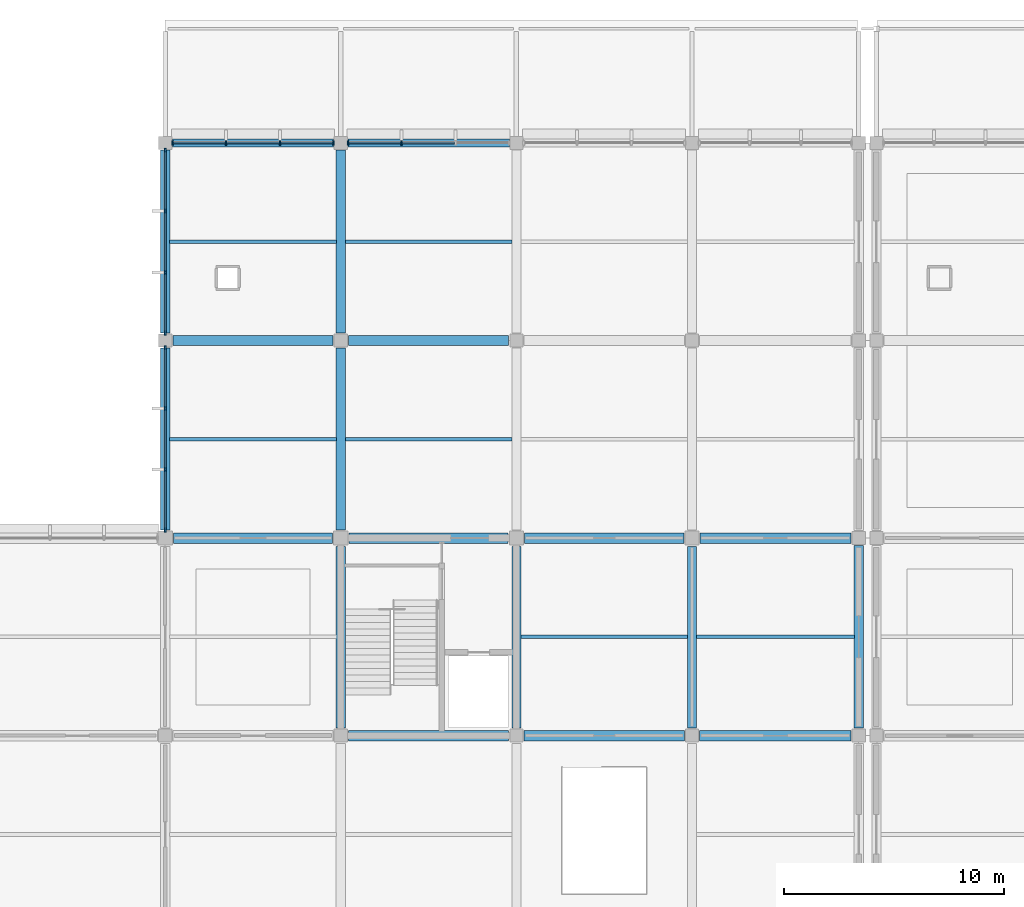
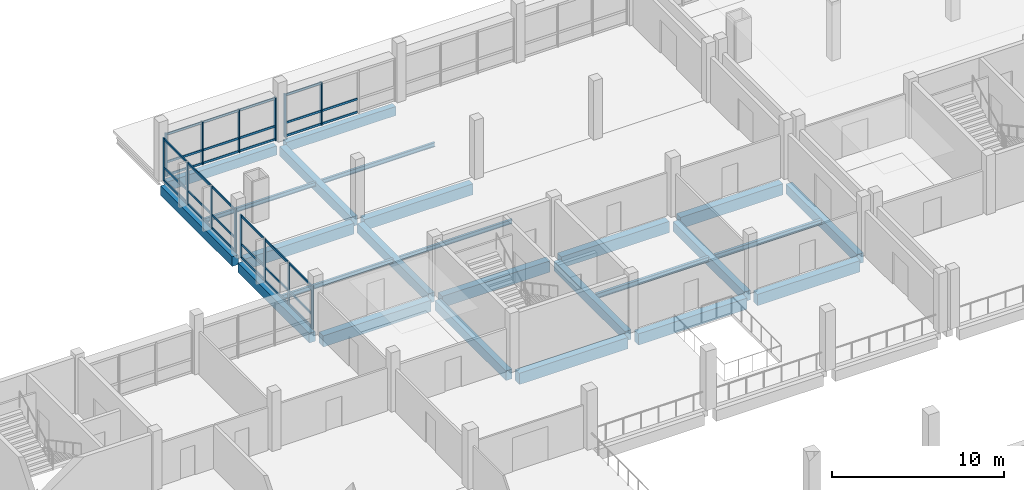
# One storey, part 15 of 57: 46 members, 25 beams, 4 elements without a shape of their own.
"""IFC4 building model written with IfcOpenShell, lengths in metres."""

from ifc_helpers import new_model, si_unit, direction, frame, origin, origin_2d, place, context, subcontext, project, spatial, rectangle, i_section, extrude, material, material_profile, profile_set, type_object, element, aggregate, save


model = new_model("IFC4")

# Units and contexts
model_context = context("Model", 3, precision=1e-05, world=origin(), true_north=direction((0.0, 1.0)))
body_context = subcontext(model_context, "Body", "Model", "MODEL_VIEW")
ifc_project = project(units=[si_unit("LENGTHUNIT", "METRE"), si_unit("AREAUNIT", "SQUARE_METRE"), si_unit("VOLUMEUNIT", "CUBIC_METRE"), si_unit("PLANEANGLEUNIT", "RADIAN"), si_unit("MASSUNIT", "GRAM", prefix="KILO"), si_unit("THERMODYNAMICTEMPERATUREUNIT", "KELVIN"), si_unit("POWERUNIT", "WATT")], contexts=[model_context])

# Site, building, storey
site_placement = place(None, origin())
site = spatial("IfcSite", under=ifc_project, at=site_placement, CompositionType="ELEMENT")
building_placement = place(site_placement, origin())
building = spatial("IfcBuilding", under=site, at=building_placement, Name="Kronsvod Quay Wholesale Market", CompositionType="ELEMENT")
storey_placement = place(building_placement, frame((0.0, 0.0, 4.800048828125)))
storey = spatial("IfcBuildingStorey", under=building, at=storey_placement, Name="L01", CompositionType="ELEMENT", Elevation=4.800048828125)

# Beams
ifc_material_1 = material(Name="Precast concrete C40/50", Category="concrete")
ifc_material_profile_1 = material_profile(ifc_material_1, rectangle(XDim=0.419921875, YDim=0.679931640625, at=origin_2d()), Name="PB-05")
ifc_profile_set_1 = profile_set([ifc_material_profile_1], Name="Precast concrete C40/50")
beam_type_1 = type_object("IfcBeamType", Name="Beam_PCB420x680", PredefinedType="BEAM", material=ifc_profile_set_1)
beam_1_placement = place(storey_placement, frame((32.0, 108.375, -0.64013671875), z_axis=(0.0, 1.0, 0.0), x_axis=(-1.0, 0.0, 0.0)))
element("IfcBeam", 1, at=beam_1_placement, inside=storey, type_object=beam_type_1, Name="BMY-L01-320-1080", PredefinedType="BEAM", context=body_context, shape_type="SweptSolid", body=[
    extrude(rectangle(XDim=0.419921875, YDim=0.679931640625, at=origin_2d()), origin(), (0.0, 0.0, 1.0), 8.27490234375),
])
beam_2_placement = place(storey_placement, frame((32.0, 117.35009765625, -0.64013671875), z_axis=(0.0, 1.0, 0.0), x_axis=(-1.0, 0.0, 0.0)))
element("IfcBeam", 2, at=beam_2_placement, inside=storey, type_object=beam_type_1, Name="BMY-L01-320-1170", PredefinedType="BEAM", context=body_context, shape_type="SweptSolid", body=[
    extrude(rectangle(XDim=0.419921875, YDim=0.679931640625, at=origin_2d()), origin(), (0.0, 0.0, 1.0), 8.324951171875),
])
for number, where, z_axis, x_axis, name in (
    (3, (40.0, 99.35009765625, -0.64013671875), (0.0, 1.0, 0.0), (-1.0, 0.0, 0.0), "BMY-L01-400-990"),
    (4, (40.0, 108.375, -0.64013671875), (0.0, 1.0, 0.0), (-1.0, 0.0, 0.0), "BMY-L01-400-1080"),
):
    element("IfcBeam", number, at=place(storey_placement, frame(where, z_axis=z_axis, x_axis=x_axis)), inside=storey, type_object=beam_type_1, Name=name, PredefinedType="BEAM", context=body_context, shape_type="SweptSolid", body=[
        extrude(rectangle(XDim=0.419921875, YDim=0.679931640625, at=origin_2d()), origin(), (0.0, 0.0, 1.0), 8.27490234375),
    ])
beam_3_placement = place(storey_placement, frame((40.0, 117.35009765625, -0.64013671875), z_axis=(0.0, 1.0, 0.0), x_axis=(-1.0, 0.0, 0.0)))
element("IfcBeam", 5, at=beam_3_placement, inside=storey, type_object=beam_type_1, Name="BMY-L01-400-1170", PredefinedType="BEAM", context=body_context, shape_type="SweptSolid", body=[
    extrude(rectangle(XDim=0.419921875, YDim=0.679931640625, at=origin_2d()), origin(), (0.0, 0.0, 1.0), 8.324951171875),
])
for number, where, z_axis, x_axis, name in (
    (6, (48.0, 99.35009765625, -0.64013671875), (0.0, 1.0, 0.0), (-1.0, 0.0, 0.0), "BMY-L01-480-990"),
    (7, (56.0, 99.35009765625, -0.64013671875), (0.0, 1.0, 0.0), (-1.0, 0.0, 0.0), "BMY-L01-560-990"),
):
    element("IfcBeam", number, at=place(storey_placement, frame(where, z_axis=z_axis, x_axis=x_axis)), inside=storey, type_object=beam_type_1, Name=name, PredefinedType="BEAM", context=body_context, shape_type="SweptSolid", body=[
        extrude(rectangle(XDim=0.419921875, YDim=0.679931640625, at=origin_2d()), origin(), (0.0, 0.0, 1.0), 8.27490234375),
    ])
beam_4_placement = place(storey_placement, frame((63.60009765625, 99.35009765625, -0.64013671875), z_axis=(0.0, 1.0, 0.0), x_axis=(-1.0, 0.0, 0.0)))
element("IfcBeam", 8, at=beam_4_placement, inside=storey, type_object=beam_type_1, Name="BMY-L01-636-990", PredefinedType="BEAM", context=body_context, shape_type="SweptSolid", body=[
    extrude(rectangle(XDim=0.419921875, YDim=0.679931640625, at=origin_2d()), origin(), (0.0, 0.0, 1.0), 8.2998046875),
])
ifc_material_2 = material(Name="Precast concrete C40/50", Category="concrete")
ifc_material_profile_2 = material_profile(ifc_material_2, rectangle(XDim=0.4599609375, YDim=0.780029296875, at=origin_2d()), Name="PB-03")
ifc_profile_set_2 = profile_set([ifc_material_profile_2], Name="Precast concrete C40/50")
beam_type_2 = type_object("IfcBeamType", Name="Beam_PCB460x780", PredefinedType="BEAM", material=ifc_profile_set_2)
for number, where, z_axis, x_axis, name in (
    (9, (32.35009765625, 117.0, -0.68994140625), (1.0, 0.0, 0.0), (0.0, 1.0, 0.0), "BMX-L01-320-1170"),
    (10, (40.35009765625, 117.0, -0.68994140625), (1.0, 0.0, 0.0), (0.0, 1.0, 0.0), "BMX-L01-400-1170"),
):
    element("IfcBeam", number, at=place(storey_placement, frame(where, z_axis=z_axis, x_axis=x_axis)), inside=storey, type_object=beam_type_2, Name=name, PredefinedType="BEAM", context=body_context, shape_type="SweptSolid", body=[
        extrude(rectangle(XDim=0.4599609375, YDim=0.780029296875, at=origin_2d()), origin(), (0.0, 0.0, 1.0), 7.2998046875),
    ])
ifc_material_3 = material(Name="Precast concrete C40/50", Category="concrete")
ifc_material_profile_3 = material_profile(ifc_material_3, rectangle(XDim=0.47998046875, YDim=0.800048828125, at=origin_2d()), Name="PB-04")
ifc_profile_set_3 = profile_set([ifc_material_profile_3], Name="Precast concrete C40/50")
beam_type_3 = type_object("IfcBeamType", Name="Beam_PCB480x800", PredefinedType="BEAM", material=ifc_profile_set_3)
for number, where, z_axis, x_axis, name in (
    (11, (40.35009765625, 99.0, -0.699951171875), (1.0, 0.0, 0.0), (0.0, 1.0, 0.0), "BMX-L01-400-990"),
    (12, (48.35009765625, 99.0, -0.699951171875), (1.0, 0.0, 0.0), (0.0, 1.0, 0.0), "BMX-L01-480-990"),
):
    element("IfcBeam", number, at=place(storey_placement, frame(where, z_axis=z_axis, x_axis=x_axis)), inside=storey, type_object=beam_type_3, Name=name, PredefinedType="BEAM", context=body_context, shape_type="SweptSolid", body=[
        extrude(rectangle(XDim=0.47998046875, YDim=0.800048828125, at=origin_2d()), origin(), (0.0, 0.0, 1.0), 7.2998046875),
    ])
beam_5_placement = place(storey_placement, frame((56.35009765625, 99.0, -0.699951171875), z_axis=(1.0, 0.0, 0.0), x_axis=(0.0, 1.0, 0.0)))
element("IfcBeam", 13, at=beam_5_placement, inside=storey, type_object=beam_type_3, Name="BMX-L01-560-990", PredefinedType="BEAM", context=body_context, shape_type="SweptSolid", body=[
    extrude(rectangle(XDim=0.47998046875, YDim=0.800048828125, at=origin_2d()), origin(), (0.0, 0.0, 1.0), 6.89990234375),
])
for number, where, z_axis, x_axis, name in (
    (14, (32.375, 108.0, -0.699951171875), (1.0, 0.0, 0.0), (0.0, 1.0, 0.0), "BMX-L01-320-1080"),
    (15, (40.375, 108.0, -0.699951171875), (1.0, 0.0, 0.0), (0.0, 1.0, 0.0), "BMX-L01-400-1080"),
    (16, (48.375, 108.0, -0.699951171875), (1.0, 0.0, 0.0), (0.0, 1.0, 0.0), "BMX-L01-480-1080"),
):
    element("IfcBeam", number, at=place(storey_placement, frame(where, z_axis=z_axis, x_axis=x_axis)), inside=storey, type_object=beam_type_3, Name=name, PredefinedType="BEAM", context=body_context, shape_type="SweptSolid", body=[
        extrude(rectangle(XDim=0.47998046875, YDim=0.800048828125, at=origin_2d()), origin(), (0.0, 0.0, 1.0), 7.25),
    ])
beam_6_placement = place(storey_placement, frame((56.375, 108.0, -0.699951171875), z_axis=(1.0, 0.0, 0.0), x_axis=(0.0, 1.0, 0.0)))
element("IfcBeam", 17, at=beam_6_placement, inside=storey, type_object=beam_type_3, Name="BMX-L01-560-1080", PredefinedType="BEAM", context=body_context, shape_type="SweptSolid", body=[
    extrude(rectangle(XDim=0.47998046875, YDim=0.800048828125, at=origin_2d()), origin(), (0.0, 0.0, 1.0), 6.875),
])
ifc_material_4 = material(Name="Steel S355", Category="steel")
ifc_material_profile_4 = material_profile(ifc_material_4, i_section(OverallWidth=0.14892578125, OverallDepth=0.298095703125, WebThickness=0.005615234375, FlangeThickness=0.008056640625, FilletRadius=0.012939453125, at=origin_2d()), Name="30B1")
ifc_profile_set_4 = profile_set([ifc_material_profile_4], Name="Steel S355")
beam_type_4 = type_object("IfcBeamType", Name="Joist_Steel30B1", PredefinedType="JOIST", material=ifc_profile_set_4)
for number, where, z_axis, x_axis, name in (
    (18, (32.205078125, 112.5, -0.399169921875), (1.0, 0.0, 0.0), (0.0, 1.0, 0.0), "JSTX-L01-320-1080"),
    (19, (32.205078125, 121.5, -0.399169921875), (1.0, 0.0, 0.0), (0.0, 1.0, 0.0), "JSTX-L01-320-1170"),
    (20, (40.205078125, 112.5, -0.399169921875), (1.0, 0.0, 0.0), (0.0, 1.0, 0.0), "JSTX-L01-400-1080"),
    (21, (40.205078125, 121.5, -0.399169921875), (1.0, 0.0, 0.0), (0.0, 1.0, 0.0), "JSTX-L01-400-1170"),
):
    element("IfcBeam", number, at=place(storey_placement, frame(where, z_axis=z_axis, x_axis=x_axis)), inside=storey, type_object=beam_type_4, Name=name, PredefinedType="JOIST", context=body_context, shape_type="SweptSolid", body=[
        extrude(i_section(OverallWidth=0.14892578125, OverallDepth=0.298095703125, WebThickness=0.005615234375, FlangeThickness=0.008056640625, FilletRadius=0.012939453125, at=origin_2d()), origin(), (0.0, 0.0, 1.0), 7.58984375),
    ])
ifc_material_5 = material(Name="Steel S355", Category="steel")
ifc_material_profile_5 = material_profile(ifc_material_5, i_section(OverallWidth=0.175048828125, OverallDepth=0.35009765625, WebThickness=0.007080078125, FlangeThickness=0.010986328125, FilletRadius=0.013916015625, at=origin_2d()), Name="35B2")
ifc_profile_set_5 = profile_set([ifc_material_profile_5], Name="Steel S355")
beam_type_5 = type_object("IfcBeamType", Name="Joist_Steel35B2", PredefinedType="JOIST", material=ifc_profile_set_5)
beam_7_placement = place(storey_placement, frame((48.205078125, 103.5, -0.425048828125), z_axis=(1.0, 0.0, 0.0), x_axis=(0.0, 1.0, 0.0)))
element("IfcBeam", 22, at=beam_7_placement, inside=storey, type_object=beam_type_5, Name="JSTX-L01-480-990", PredefinedType="JOIST", context=body_context, shape_type="SweptSolid", body=[
    extrude(i_section(OverallWidth=0.175048828125, OverallDepth=0.35009765625, WebThickness=0.007080078125, FlangeThickness=0.010986328125, FilletRadius=0.013916015625, at=origin_2d()), origin(), (0.0, 0.0, 1.0), 7.58984375),
])
beam_8_placement = place(storey_placement, frame((56.205078125, 103.5, -0.425048828125), z_axis=(1.0, 0.0, 0.0), x_axis=(0.0, 1.0, 0.0)))
element("IfcBeam", 23, at=beam_8_placement, inside=storey, type_object=beam_type_5, Name="JSTX-L01-560-990", PredefinedType="JOIST", context=body_context, shape_type="SweptSolid", body=[
    extrude(i_section(OverallWidth=0.175048828125, OverallDepth=0.35009765625, WebThickness=0.007080078125, FlangeThickness=0.010986328125, FilletRadius=0.013916015625, at=origin_2d()), origin(), (0.0, 0.0, 1.0), 7.18994140625),
])

# Curtain wall, members
ifc_material_6 = material(Name="Thermally broken aluminium and triple low-E glazing", Category="aluminium")
curtain_wall_type_1 = type_object("IfcCurtainWallType", Name="CW_Harbour80x33", PredefinedType="NOTDEFINED", material=ifc_material_6)
curtain_wall_1_placement = place(storey_placement, origin())
curtain_wall_1 = element("IfcCurtainWall", 24, at=curtain_wall_1_placement, inside=storey, type_object=curtain_wall_type_1, Name="CWGX-L01-320-1260", PredefinedType="NOTDEFINED")
ifc_material_7 = material(Name="Anodised aluminium", Category="aluminium")
ifc_material_profile_6 = material_profile(ifc_material_7, rectangle(XDim=0.074951171875, YDim=0.199951171875, at=origin_2d()), Name="ALUM75x200")
ifc_profile_set_6 = profile_set([ifc_material_profile_6], Name="Anodised aluminium")
member_type_1 = type_object("IfcMemberType", Name="Mullion_ALU75x200", PredefinedType="MULLION", material=ifc_profile_set_6)
member_1_placement = place(storey_placement, frame((39.66748046875, 126.0, 0.0), z_axis=(0.0, 0.0, 1.0), x_axis=(1.0, 0.0, 0.0)))
member_1 = element("IfcMember", 25, at=member_1_placement, type_object=member_type_1, Name="CWGX-L01-320-1260-M1", PredefinedType="MULLION", context=body_context, shape_type="SweptSolid", body=[
    extrude(rectangle(XDim=0.074951171875, YDim=0.199951171875, at=origin_2d()), origin(), (0.0, 0.0, 1.0), 3.050048828125),
])
member_2_placement = place(storey_placement, frame((37.235107421875, 126.0, 0.0), z_axis=(0.0, 0.0, 1.0), x_axis=(1.0, 0.0, 0.0)))
member_2 = element("IfcMember", 26, at=member_2_placement, type_object=member_type_1, Name="CWGX-L01-320-1260-M2", PredefinedType="MULLION", context=body_context, shape_type="SweptSolid", body=[
    extrude(rectangle(XDim=0.074951171875, YDim=0.199951171875, at=origin_2d()), origin(), (0.0, 0.0, 1.0), 3.050048828125),
])
member_3_placement = place(storey_placement, frame((34.764892578125, 126.0, 0.0), z_axis=(0.0, 0.0, 1.0), x_axis=(1.0, 0.0, 0.0)))
member_3 = element("IfcMember", 27, at=member_3_placement, type_object=member_type_1, Name="CWGX-L01-320-1260-M3", PredefinedType="MULLION", context=body_context, shape_type="SweptSolid", body=[
    extrude(rectangle(XDim=0.074951171875, YDim=0.199951171875, at=origin_2d()), origin(), (0.0, 0.0, 1.0), 3.050048828125),
])
member_4_placement = place(storey_placement, frame((32.33251953125, 126.0, 0.0), z_axis=(0.0, 0.0, 1.0), x_axis=(1.0, 0.0, 0.0)))
member_4 = element("IfcMember", 28, at=member_4_placement, type_object=member_type_1, Name="CWGX-L01-320-1260-M4", PredefinedType="MULLION", context=body_context, shape_type="SweptSolid", body=[
    extrude(rectangle(XDim=0.074951171875, YDim=0.199951171875, at=origin_2d()), origin(), (0.0, 0.0, 1.0), 3.050048828125),
])

curtain_wall_2_placement = place(storey_placement, origin())
curtain_wall_2 = element("IfcCurtainWall", 29, at=curtain_wall_2_placement, inside=storey, type_object=curtain_wall_type_1, Name="CWGX-L01-400-1260", PredefinedType="NOTDEFINED")
member_5_placement = place(storey_placement, frame((42.764892578125, 126.0, 0.0), z_axis=(0.0, 0.0, 1.0), x_axis=(1.0, 0.0, 0.0)))
member_5 = element("IfcMember", 30, at=member_5_placement, type_object=member_type_1, Name="CWGX-L01-400-1260-M3", PredefinedType="MULLION", context=body_context, shape_type="SweptSolid", body=[
    extrude(rectangle(XDim=0.074951171875, YDim=0.199951171875, at=origin_2d()), origin(), (0.0, 0.0, 1.0), 3.050048828125),
])
member_6_placement = place(storey_placement, frame((40.33251953125, 126.0, 0.0), z_axis=(0.0, 0.0, 1.0), x_axis=(1.0, 0.0, 0.0)))
member_6 = element("IfcMember", 31, at=member_6_placement, type_object=member_type_1, Name="CWGX-L01-400-1260-M4", PredefinedType="MULLION", context=body_context, shape_type="SweptSolid", body=[
    extrude(rectangle(XDim=0.074951171875, YDim=0.199951171875, at=origin_2d()), origin(), (0.0, 0.0, 1.0), 3.050048828125),
])

ifc_material_8 = material(Name="Thermally broken aluminium and triple low-E glazing", Category="aluminium")
curtain_wall_type_2 = type_object("IfcCurtainWallType", Name="CW_Wing90x33", PredefinedType="NOTDEFINED", material=ifc_material_8)
curtain_wall_3_placement = place(storey_placement, origin())
curtain_wall_3 = element("IfcCurtainWall", 32, at=curtain_wall_3_placement, inside=storey, type_object=curtain_wall_type_2, Name="CWGY-L01-320-1080", PredefinedType="NOTDEFINED")
member_7_placement = place(storey_placement, frame((32.0, 116.66748046875, 0.0), z_axis=(0.0, 0.0, 1.0), x_axis=(1.0, 0.0, 0.0)))
member_7 = element("IfcMember", 33, at=member_7_placement, type_object=member_type_1, Name="CWGY-L01-320-1080-M1", PredefinedType="MULLION", context=body_context, shape_type="SweptSolid", body=[
    extrude(rectangle(XDim=0.074951171875, YDim=0.199951171875, at=origin_2d()), origin(), (0.0, 0.0, 1.0), 3.050048828125),
])
member_8_placement = place(storey_placement, frame((32.0, 113.909912109375, 0.0), z_axis=(0.0, 0.0, 1.0), x_axis=(1.0, 0.0, 0.0)))
member_8 = element("IfcMember", 34, at=member_8_placement, type_object=member_type_1, Name="CWGY-L01-320-1080-M2", PredefinedType="MULLION", context=body_context, shape_type="SweptSolid", body=[
    extrude(rectangle(XDim=0.074951171875, YDim=0.199951171875, at=origin_2d()), origin(), (0.0, 0.0, 1.0), 3.050048828125),
])
member_9_placement = place(storey_placement, frame((32.0, 111.114990234375, 0.0), z_axis=(0.0, 0.0, 1.0), x_axis=(1.0, 0.0, 0.0)))
member_9 = element("IfcMember", 35, at=member_9_placement, type_object=member_type_1, Name="CWGY-L01-320-1080-M3", PredefinedType="MULLION", context=body_context, shape_type="SweptSolid", body=[
    extrude(rectangle(XDim=0.074951171875, YDim=0.199951171875, at=origin_2d()), origin(), (0.0, 0.0, 1.0), 3.050048828125),
])
member_10_placement = place(storey_placement, frame((32.0, 108.357421875, 0.0), z_axis=(0.0, 0.0, 1.0), x_axis=(1.0, 0.0, 0.0)))
member_10 = element("IfcMember", 36, at=member_10_placement, type_object=member_type_1, Name="CWGY-L01-320-1080-M4", PredefinedType="MULLION", context=body_context, shape_type="SweptSolid", body=[
    extrude(rectangle(XDim=0.074951171875, YDim=0.199951171875, at=origin_2d()), origin(), (0.0, 0.0, 1.0), 3.050048828125),
])

curtain_wall_4_placement = place(storey_placement, origin())
curtain_wall_4 = element("IfcCurtainWall", 37, at=curtain_wall_4_placement, inside=storey, type_object=curtain_wall_type_2, Name="CWGY-L01-320-1170", PredefinedType="NOTDEFINED")
member_11_placement = place(storey_placement, frame((32.0, 125.66748046875, 0.0), z_axis=(0.0, 0.0, 1.0), x_axis=(1.0, 0.0, 0.0)))
member_11 = element("IfcMember", 38, at=member_11_placement, type_object=member_type_1, Name="CWGY-L01-320-1170-M1", PredefinedType="MULLION", context=body_context, shape_type="SweptSolid", body=[
    extrude(rectangle(XDim=0.074951171875, YDim=0.199951171875, at=origin_2d()), origin(), (0.0, 0.0, 1.0), 3.050048828125),
])
member_12_placement = place(storey_placement, frame((32.0, 122.901611328125, 0.0), z_axis=(0.0, 0.0, 1.0), x_axis=(1.0, 0.0, 0.0)))
member_12 = element("IfcMember", 39, at=member_12_placement, type_object=member_type_1, Name="CWGY-L01-320-1170-M2", PredefinedType="MULLION", context=body_context, shape_type="SweptSolid", body=[
    extrude(rectangle(XDim=0.074951171875, YDim=0.199951171875, at=origin_2d()), origin(), (0.0, 0.0, 1.0), 3.050048828125),
])
member_13_placement = place(storey_placement, frame((32.0, 120.098388671875, 0.0), z_axis=(0.0, 0.0, 1.0), x_axis=(1.0, 0.0, 0.0)))
member_13 = element("IfcMember", 40, at=member_13_placement, type_object=member_type_1, Name="CWGY-L01-320-1170-M3", PredefinedType="MULLION", context=body_context, shape_type="SweptSolid", body=[
    extrude(rectangle(XDim=0.074951171875, YDim=0.199951171875, at=origin_2d()), origin(), (0.0, 0.0, 1.0), 3.050048828125),
])
member_14_placement = place(storey_placement, frame((32.0, 117.33251953125, 0.0), z_axis=(0.0, 0.0, 1.0), x_axis=(1.0, 0.0, 0.0)))
member_14 = element("IfcMember", 41, at=member_14_placement, type_object=member_type_1, Name="CWGY-L01-320-1170-M4", PredefinedType="MULLION", context=body_context, shape_type="SweptSolid", body=[
    extrude(rectangle(XDim=0.074951171875, YDim=0.199951171875, at=origin_2d()), origin(), (0.0, 0.0, 1.0), 3.050048828125),
])

# Beams
ifc_material_9 = material(Name="Precast concrete C40/50", Category="concrete")
ifc_material_profile_7 = material_profile(ifc_material_9, rectangle(XDim=0.3798828125, YDim=0.64990234375, at=origin_2d()), Name="SPB-03")
ifc_profile_set_7 = profile_set([ifc_material_profile_7], Name="Precast concrete C40/50")
beam_type_6 = type_object("IfcBeamType", Name="Spandrel_PCSP380x650", PredefinedType="SPANDREL", material=ifc_profile_set_7)
for number, where, z_axis, x_axis, name in (
    (42, (32.324951171875, 126.0, -0.625), (1.0, 0.0, 0.0), (0.0, 1.0, 0.0), "BMX-L01-320-1260"),
    (43, (40.324951171875, 126.0, -0.625), (1.0, 0.0, 0.0), (0.0, 1.0, 0.0), "BMX-L01-400-1260"),
):
    element("IfcBeam", number, at=place(storey_placement, frame(where, z_axis=z_axis, x_axis=x_axis)), inside=storey, type_object=beam_type_6, Name=name, PredefinedType="SPANDREL", context=body_context, shape_type="SweptSolid", body=[
        extrude(rectangle(XDim=0.3798828125, YDim=0.64990234375, at=origin_2d()), origin(), (0.0, 0.0, 1.0), 7.35009765625),
    ])

# Member
ifc_material_10 = material(Name="Anodised aluminium", Category="aluminium")
ifc_material_profile_8 = material_profile(ifc_material_10, rectangle(XDim=0.074951171875, YDim=0.14990234375, at=origin_2d()), Name="ALUT75x150")
ifc_profile_set_8 = profile_set([ifc_material_profile_8], Name="Anodised aluminium")
member_type_2 = type_object("IfcMemberType", Name="Transom_ALU75x150", PredefinedType="USERDEFINED", material=ifc_profile_set_8)
member_15_placement = place(storey_placement, frame((39.6298828125, 126.0, 0.074951171875), z_axis=(-1.0, 0.0, 0.0), x_axis=(0.0, -1.0, 0.0)))
member_15 = element("IfcMember", 44, at=member_15_placement, type_object=member_type_2, Name="CWGX-L01-320-1260-T1B1", ObjectType="TRANSOM", PredefinedType="USERDEFINED", context=body_context, shape_type="SweptSolid", body=[
    extrude(rectangle(XDim=0.074951171875, YDim=0.14990234375, at=origin_2d()), origin(), (0.0, 0.0, 1.0), 2.357421875),
])

member_16_placement = place(storey_placement, frame((37.197509765625, 126.0, 0.074951171875), z_axis=(-1.0, 0.0, 0.0), x_axis=(0.0, -1.0, 0.0)))
member_16 = element("IfcMember", 45, at=member_16_placement, type_object=member_type_2, Name="CWGX-L01-320-1260-T1B2", ObjectType="TRANSOM", PredefinedType="USERDEFINED", context=body_context, shape_type="SweptSolid", body=[
    extrude(rectangle(XDim=0.074951171875, YDim=0.14990234375, at=origin_2d()), origin(), (0.0, 0.0, 1.0), 2.39501953125),
])

member_17_placement = place(storey_placement, frame((34.7275390625, 126.0, 0.074951171875), z_axis=(-1.0, 0.0, 0.0), x_axis=(0.0, -1.0, 0.0)))
member_17 = element("IfcMember", 46, at=member_17_placement, type_object=member_type_2, Name="CWGX-L01-320-1260-T1B3", ObjectType="TRANSOM", PredefinedType="USERDEFINED", context=body_context, shape_type="SweptSolid", body=[
    extrude(rectangle(XDim=0.074951171875, YDim=0.14990234375, at=origin_2d()), origin(), (0.0, 0.0, 1.0), 2.357421875),
])

member_18_placement = place(storey_placement, frame((39.6298828125, 126.0, 1.0), z_axis=(-1.0, 0.0, 0.0), x_axis=(0.0, -1.0, 0.0)))
member_18 = element("IfcMember", 47, at=member_18_placement, type_object=member_type_2, Name="CWGX-L01-320-1260-T2B1", ObjectType="TRANSOM", PredefinedType="USERDEFINED", context=body_context, shape_type="SweptSolid", body=[
    extrude(rectangle(XDim=0.074951171875, YDim=0.14990234375, at=origin_2d()), origin(), (0.0, 0.0, 1.0), 2.357421875),
])

member_19_placement = place(storey_placement, frame((37.197509765625, 126.0, 1.0), z_axis=(-1.0, 0.0, 0.0), x_axis=(0.0, -1.0, 0.0)))
member_19 = element("IfcMember", 48, at=member_19_placement, type_object=member_type_2, Name="CWGX-L01-320-1260-T2B2", ObjectType="TRANSOM", PredefinedType="USERDEFINED", context=body_context, shape_type="SweptSolid", body=[
    extrude(rectangle(XDim=0.074951171875, YDim=0.14990234375, at=origin_2d()), origin(), (0.0, 0.0, 1.0), 2.39501953125),
])

member_20_placement = place(storey_placement, frame((34.7275390625, 126.0, 1.0), z_axis=(-1.0, 0.0, 0.0), x_axis=(0.0, -1.0, 0.0)))
member_20 = element("IfcMember", 49, at=member_20_placement, type_object=member_type_2, Name="CWGX-L01-320-1260-T2B3", ObjectType="TRANSOM", PredefinedType="USERDEFINED", context=body_context, shape_type="SweptSolid", body=[
    extrude(rectangle(XDim=0.074951171875, YDim=0.14990234375, at=origin_2d()), origin(), (0.0, 0.0, 1.0), 2.357421875),
])

member_21_placement = place(storey_placement, frame((39.6298828125, 126.0, 2.974853515625), z_axis=(-1.0, 0.0, 0.0), x_axis=(0.0, -1.0, 0.0)))
member_21 = element("IfcMember", 50, at=member_21_placement, type_object=member_type_2, Name="CWGX-L01-320-1260-T3B1", ObjectType="TRANSOM", PredefinedType="USERDEFINED", context=body_context, shape_type="SweptSolid", body=[
    extrude(rectangle(XDim=0.074951171875, YDim=0.14990234375, at=origin_2d()), origin(), (0.0, 0.0, 1.0), 2.357421875),
])

member_22_placement = place(storey_placement, frame((37.197509765625, 126.0, 2.974853515625), z_axis=(-1.0, 0.0, 0.0), x_axis=(0.0, -1.0, 0.0)))
member_22 = element("IfcMember", 51, at=member_22_placement, type_object=member_type_2, Name="CWGX-L01-320-1260-T3B2", ObjectType="TRANSOM", PredefinedType="USERDEFINED", context=body_context, shape_type="SweptSolid", body=[
    extrude(rectangle(XDim=0.074951171875, YDim=0.14990234375, at=origin_2d()), origin(), (0.0, 0.0, 1.0), 2.39501953125),
])

member_23_placement = place(storey_placement, frame((34.7275390625, 126.0, 2.974853515625), z_axis=(-1.0, 0.0, 0.0), x_axis=(0.0, -1.0, 0.0)))
member_23 = element("IfcMember", 52, at=member_23_placement, type_object=member_type_2, Name="CWGX-L01-320-1260-T3B3", ObjectType="TRANSOM", PredefinedType="USERDEFINED", context=body_context, shape_type="SweptSolid", body=[
    extrude(rectangle(XDim=0.074951171875, YDim=0.14990234375, at=origin_2d()), origin(), (0.0, 0.0, 1.0), 2.357421875),
])

aggregate(curtain_wall_1, [member_1, member_2, member_3, member_4, member_15, member_16, member_17, member_18, member_19, member_20, member_21, member_22, member_23])

member_24_placement = place(storey_placement, frame((45.197509765625, 126.0, 0.074951171875), z_axis=(-1.0, 0.0, 0.0), x_axis=(0.0, -1.0, 0.0)))
member_24 = element("IfcMember", 53, at=member_24_placement, type_object=member_type_2, Name="CWGX-L01-400-1260-T1B2", ObjectType="TRANSOM", PredefinedType="USERDEFINED", context=body_context, shape_type="SweptSolid", body=[
    extrude(rectangle(XDim=0.074951171875, YDim=0.14990234375, at=origin_2d()), origin(), (0.0, 0.0, 1.0), 2.39501953125),
])

member_25_placement = place(storey_placement, frame((42.7275390625, 126.0, 0.074951171875), z_axis=(-1.0, 0.0, 0.0), x_axis=(0.0, -1.0, 0.0)))
member_25 = element("IfcMember", 54, at=member_25_placement, type_object=member_type_2, Name="CWGX-L01-400-1260-T1B3", ObjectType="TRANSOM", PredefinedType="USERDEFINED", context=body_context, shape_type="SweptSolid", body=[
    extrude(rectangle(XDim=0.074951171875, YDim=0.14990234375, at=origin_2d()), origin(), (0.0, 0.0, 1.0), 2.357421875),
])

member_26_placement = place(storey_placement, frame((45.197509765625, 126.0, 1.0), z_axis=(-1.0, 0.0, 0.0), x_axis=(0.0, -1.0, 0.0)))
member_26 = element("IfcMember", 55, at=member_26_placement, type_object=member_type_2, Name="CWGX-L01-400-1260-T2B2", ObjectType="TRANSOM", PredefinedType="USERDEFINED", context=body_context, shape_type="SweptSolid", body=[
    extrude(rectangle(XDim=0.074951171875, YDim=0.14990234375, at=origin_2d()), origin(), (0.0, 0.0, 1.0), 2.39501953125),
])

member_27_placement = place(storey_placement, frame((42.7275390625, 126.0, 1.0), z_axis=(-1.0, 0.0, 0.0), x_axis=(0.0, -1.0, 0.0)))
member_27 = element("IfcMember", 56, at=member_27_placement, type_object=member_type_2, Name="CWGX-L01-400-1260-T2B3", ObjectType="TRANSOM", PredefinedType="USERDEFINED", context=body_context, shape_type="SweptSolid", body=[
    extrude(rectangle(XDim=0.074951171875, YDim=0.14990234375, at=origin_2d()), origin(), (0.0, 0.0, 1.0), 2.357421875),
])

member_28_placement = place(storey_placement, frame((42.7275390625, 126.0, 2.974853515625), z_axis=(-1.0, 0.0, 0.0), x_axis=(0.0, -1.0, 0.0)))
member_28 = element("IfcMember", 57, at=member_28_placement, type_object=member_type_2, Name="CWGX-L01-400-1260-T3B3", ObjectType="TRANSOM", PredefinedType="USERDEFINED", context=body_context, shape_type="SweptSolid", body=[
    extrude(rectangle(XDim=0.074951171875, YDim=0.14990234375, at=origin_2d()), origin(), (0.0, 0.0, 1.0), 2.357421875),
])

aggregate(curtain_wall_2, [member_5, member_6, member_24, member_25, member_26, member_27, member_28])

member_29_placement = place(storey_placement, frame((32.0, 116.6298828125, 0.074951171875), z_axis=(0.0, -1.0, 0.0), x_axis=(1.0, 0.0, 0.0)))
member_29 = element("IfcMember", 58, at=member_29_placement, type_object=member_type_2, Name="CWGY-L01-320-1080-T1B1", ObjectType="TRANSOM", PredefinedType="USERDEFINED", context=body_context, shape_type="SweptSolid", body=[
    extrude(rectangle(XDim=0.074951171875, YDim=0.14990234375, at=origin_2d()), origin(), (0.0, 0.0, 1.0), 2.682373046875),
])

member_30_placement = place(storey_placement, frame((32.0, 113.87255859375, 0.074951171875), z_axis=(0.0, -1.0, 0.0), x_axis=(1.0, 0.0, 0.0)))
member_30 = element("IfcMember", 59, at=member_30_placement, type_object=member_type_2, Name="CWGY-L01-320-1080-T1B2", ObjectType="TRANSOM", PredefinedType="USERDEFINED", context=body_context, shape_type="SweptSolid", body=[
    extrude(rectangle(XDim=0.074951171875, YDim=0.14990234375, at=origin_2d()), origin(), (0.0, 0.0, 1.0), 2.719970703125),
])

member_31_placement = place(storey_placement, frame((32.0, 111.077392578125, 0.074951171875), z_axis=(0.0, -1.0, 0.0), x_axis=(1.0, 0.0, 0.0)))
member_31 = element("IfcMember", 60, at=member_31_placement, type_object=member_type_2, Name="CWGY-L01-320-1080-T1B3", ObjectType="TRANSOM", PredefinedType="USERDEFINED", context=body_context, shape_type="SweptSolid", body=[
    extrude(rectangle(XDim=0.074951171875, YDim=0.14990234375, at=origin_2d()), origin(), (0.0, 0.0, 1.0), 2.682373046875),
])

member_32_placement = place(storey_placement, frame((32.0, 116.6298828125, 1.0), z_axis=(0.0, -1.0, 0.0), x_axis=(1.0, 0.0, 0.0)))
member_32 = element("IfcMember", 61, at=member_32_placement, type_object=member_type_2, Name="CWGY-L01-320-1080-T2B1", ObjectType="TRANSOM", PredefinedType="USERDEFINED", context=body_context, shape_type="SweptSolid", body=[
    extrude(rectangle(XDim=0.074951171875, YDim=0.14990234375, at=origin_2d()), origin(), (0.0, 0.0, 1.0), 2.682373046875),
])

member_33_placement = place(storey_placement, frame((32.0, 113.87255859375, 1.0), z_axis=(0.0, -1.0, 0.0), x_axis=(1.0, 0.0, 0.0)))
member_33 = element("IfcMember", 62, at=member_33_placement, type_object=member_type_2, Name="CWGY-L01-320-1080-T2B2", ObjectType="TRANSOM", PredefinedType="USERDEFINED", context=body_context, shape_type="SweptSolid", body=[
    extrude(rectangle(XDim=0.074951171875, YDim=0.14990234375, at=origin_2d()), origin(), (0.0, 0.0, 1.0), 2.719970703125),
])

member_34_placement = place(storey_placement, frame((32.0, 111.077392578125, 1.0), z_axis=(0.0, -1.0, 0.0), x_axis=(1.0, 0.0, 0.0)))
member_34 = element("IfcMember", 63, at=member_34_placement, type_object=member_type_2, Name="CWGY-L01-320-1080-T2B3", ObjectType="TRANSOM", PredefinedType="USERDEFINED", context=body_context, shape_type="SweptSolid", body=[
    extrude(rectangle(XDim=0.074951171875, YDim=0.14990234375, at=origin_2d()), origin(), (0.0, 0.0, 1.0), 2.682373046875),
])

member_35_placement = place(storey_placement, frame((32.0, 116.6298828125, 2.974853515625), z_axis=(0.0, -1.0, 0.0), x_axis=(1.0, 0.0, 0.0)))
member_35 = element("IfcMember", 64, at=member_35_placement, type_object=member_type_2, Name="CWGY-L01-320-1080-T3B1", ObjectType="TRANSOM", PredefinedType="USERDEFINED", context=body_context, shape_type="SweptSolid", body=[
    extrude(rectangle(XDim=0.074951171875, YDim=0.14990234375, at=origin_2d()), origin(), (0.0, 0.0, 1.0), 2.682373046875),
])

member_36_placement = place(storey_placement, frame((32.0, 113.87255859375, 2.974853515625), z_axis=(0.0, -1.0, 0.0), x_axis=(1.0, 0.0, 0.0)))
member_36 = element("IfcMember", 65, at=member_36_placement, type_object=member_type_2, Name="CWGY-L01-320-1080-T3B2", ObjectType="TRANSOM", PredefinedType="USERDEFINED", context=body_context, shape_type="SweptSolid", body=[
    extrude(rectangle(XDim=0.074951171875, YDim=0.14990234375, at=origin_2d()), origin(), (0.0, 0.0, 1.0), 2.719970703125),
])

member_37_placement = place(storey_placement, frame((32.0, 111.077392578125, 2.974853515625), z_axis=(0.0, -1.0, 0.0), x_axis=(1.0, 0.0, 0.0)))
member_37 = element("IfcMember", 66, at=member_37_placement, type_object=member_type_2, Name="CWGY-L01-320-1080-T3B3", ObjectType="TRANSOM", PredefinedType="USERDEFINED", context=body_context, shape_type="SweptSolid", body=[
    extrude(rectangle(XDim=0.074951171875, YDim=0.14990234375, at=origin_2d()), origin(), (0.0, 0.0, 1.0), 2.682373046875),
])

aggregate(curtain_wall_3, [member_7, member_8, member_9, member_10, member_29, member_30, member_31, member_32, member_33, member_34, member_35, member_36, member_37])

member_38_placement = place(storey_placement, frame((32.0, 125.6298828125, 0.074951171875), z_axis=(0.0, -1.0, 0.0), x_axis=(1.0, 0.0, 0.0)))
member_38 = element("IfcMember", 67, at=member_38_placement, type_object=member_type_2, Name="CWGY-L01-320-1170-T1B1", ObjectType="TRANSOM", PredefinedType="USERDEFINED", context=body_context, shape_type="SweptSolid", body=[
    extrude(rectangle(XDim=0.074951171875, YDim=0.14990234375, at=origin_2d()), origin(), (0.0, 0.0, 1.0), 2.690673828125),
])

member_39_placement = place(storey_placement, frame((32.0, 122.8642578125, 0.074951171875), z_axis=(0.0, -1.0, 0.0), x_axis=(1.0, 0.0, 0.0)))
member_39 = element("IfcMember", 68, at=member_39_placement, type_object=member_type_2, Name="CWGY-L01-320-1170-T1B2", ObjectType="TRANSOM", PredefinedType="USERDEFINED", context=body_context, shape_type="SweptSolid", body=[
    extrude(rectangle(XDim=0.074951171875, YDim=0.14990234375, at=origin_2d()), origin(), (0.0, 0.0, 1.0), 2.728515625),
])

member_40_placement = place(storey_placement, frame((32.0, 120.060791015625, 0.074951171875), z_axis=(0.0, -1.0, 0.0), x_axis=(1.0, 0.0, 0.0)))
member_40 = element("IfcMember", 69, at=member_40_placement, type_object=member_type_2, Name="CWGY-L01-320-1170-T1B3", ObjectType="TRANSOM", PredefinedType="USERDEFINED", context=body_context, shape_type="SweptSolid", body=[
    extrude(rectangle(XDim=0.074951171875, YDim=0.14990234375, at=origin_2d()), origin(), (0.0, 0.0, 1.0), 2.690673828125),
])

member_41_placement = place(storey_placement, frame((32.0, 125.6298828125, 1.0), z_axis=(0.0, -1.0, 0.0), x_axis=(1.0, 0.0, 0.0)))
member_41 = element("IfcMember", 70, at=member_41_placement, type_object=member_type_2, Name="CWGY-L01-320-1170-T2B1", ObjectType="TRANSOM", PredefinedType="USERDEFINED", context=body_context, shape_type="SweptSolid", body=[
    extrude(rectangle(XDim=0.074951171875, YDim=0.14990234375, at=origin_2d()), origin(), (0.0, 0.0, 1.0), 2.690673828125),
])

member_42_placement = place(storey_placement, frame((32.0, 122.8642578125, 1.0), z_axis=(0.0, -1.0, 0.0), x_axis=(1.0, 0.0, 0.0)))
member_42 = element("IfcMember", 71, at=member_42_placement, type_object=member_type_2, Name="CWGY-L01-320-1170-T2B2", ObjectType="TRANSOM", PredefinedType="USERDEFINED", context=body_context, shape_type="SweptSolid", body=[
    extrude(rectangle(XDim=0.074951171875, YDim=0.14990234375, at=origin_2d()), origin(), (0.0, 0.0, 1.0), 2.728515625),
])

member_43_placement = place(storey_placement, frame((32.0, 120.060791015625, 1.0), z_axis=(0.0, -1.0, 0.0), x_axis=(1.0, 0.0, 0.0)))
member_43 = element("IfcMember", 72, at=member_43_placement, type_object=member_type_2, Name="CWGY-L01-320-1170-T2B3", ObjectType="TRANSOM", PredefinedType="USERDEFINED", context=body_context, shape_type="SweptSolid", body=[
    extrude(rectangle(XDim=0.074951171875, YDim=0.14990234375, at=origin_2d()), origin(), (0.0, 0.0, 1.0), 2.690673828125),
])

member_44_placement = place(storey_placement, frame((32.0, 125.6298828125, 2.974853515625), z_axis=(0.0, -1.0, 0.0), x_axis=(1.0, 0.0, 0.0)))
member_44 = element("IfcMember", 73, at=member_44_placement, type_object=member_type_2, Name="CWGY-L01-320-1170-T3B1", ObjectType="TRANSOM", PredefinedType="USERDEFINED", context=body_context, shape_type="SweptSolid", body=[
    extrude(rectangle(XDim=0.074951171875, YDim=0.14990234375, at=origin_2d()), origin(), (0.0, 0.0, 1.0), 2.690673828125),
])

member_45_placement = place(storey_placement, frame((32.0, 122.8642578125, 2.974853515625), z_axis=(0.0, -1.0, 0.0), x_axis=(1.0, 0.0, 0.0)))
member_45 = element("IfcMember", 74, at=member_45_placement, type_object=member_type_2, Name="CWGY-L01-320-1170-T3B2", ObjectType="TRANSOM", PredefinedType="USERDEFINED", context=body_context, shape_type="SweptSolid", body=[
    extrude(rectangle(XDim=0.074951171875, YDim=0.14990234375, at=origin_2d()), origin(), (0.0, 0.0, 1.0), 2.728515625),
])

member_46_placement = place(storey_placement, frame((32.0, 120.060791015625, 2.974853515625), z_axis=(0.0, -1.0, 0.0), x_axis=(1.0, 0.0, 0.0)))
member_46 = element("IfcMember", 75, at=member_46_placement, type_object=member_type_2, Name="CWGY-L01-320-1170-T3B3", ObjectType="TRANSOM", PredefinedType="USERDEFINED", context=body_context, shape_type="SweptSolid", body=[
    extrude(rectangle(XDim=0.074951171875, YDim=0.14990234375, at=origin_2d()), origin(), (0.0, 0.0, 1.0), 2.690673828125),
])

aggregate(curtain_wall_4, [member_11, member_12, member_13, member_14, member_38, member_39, member_40, member_41, member_42, member_43, member_44, member_45, member_46])

save(model, "model.ifc")
